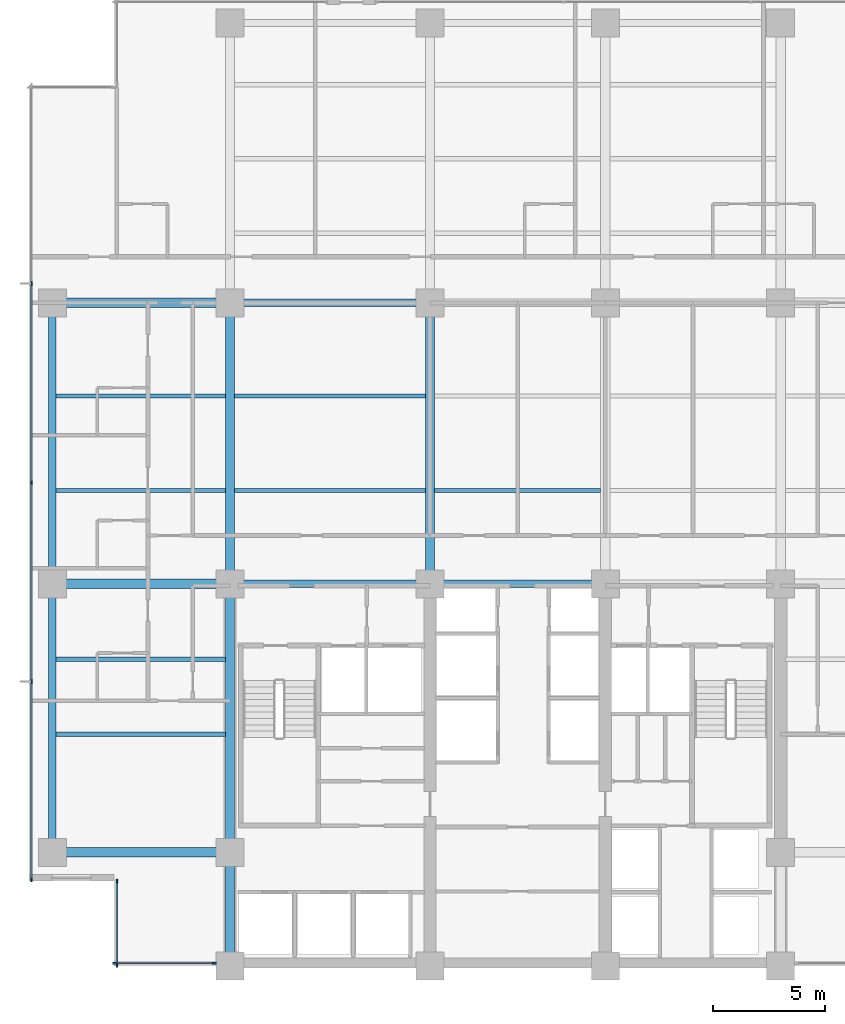
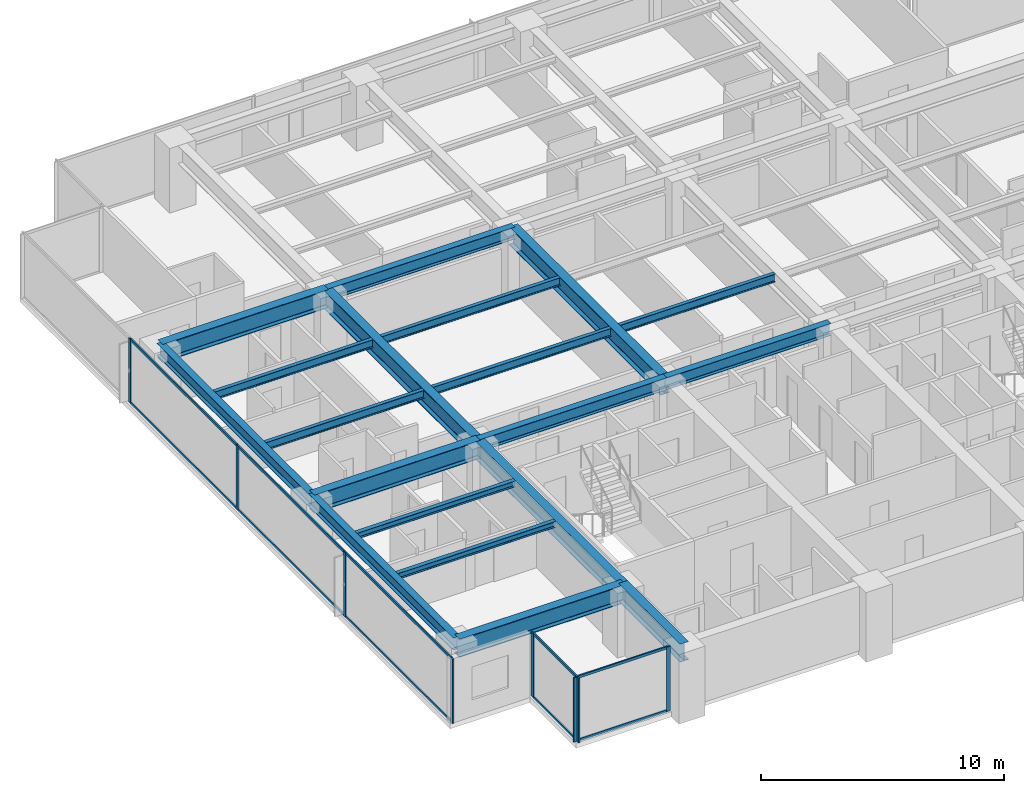
# One storey, part 2 of 17: 19 beams, 18 members, 3 elements without a shape of their own.
"""IFC4 building model written with IfcOpenShell, lengths in metres."""

from ifc_helpers import new_model, si_unit, direction, frame, origin, origin_2d, place, context, subcontext, project, spatial, rectangle, i_section, extrude, material, layer, layer_set, material_profile, profile_set, type_object, element, aggregate, save


model = new_model("IFC4")

# Units and contexts
model_context = context("Model", 3, precision=1e-05, world=origin(), true_north=direction((0.0, 1.0)))
body_context = subcontext(model_context, "Body", "Model", "MODEL_VIEW")
ifc_project = project(units=[si_unit("LENGTHUNIT", "METRE"), si_unit("AREAUNIT", "SQUARE_METRE"), si_unit("VOLUMEUNIT", "CUBIC_METRE"), si_unit("PLANEANGLEUNIT", "RADIAN"), si_unit("MASSUNIT", "GRAM", prefix="KILO")], contexts=[model_context])

# Site, building, storey
site_placement = place(None, origin())
site = spatial("IfcSite", under=ifc_project, at=site_placement, CompositionType="ELEMENT")
building_placement = place(site_placement, origin())
building = spatial("IfcBuilding", under=site, at=building_placement, Name="Qalmaran Belvedere Hotel", CompositionType="ELEMENT")
storey_placement = place(building_placement, frame((0.0, 0.0, 91.699951171875)))
storey = spatial("IfcBuildingStorey", under=building, at=storey_placement, Name="L22", CompositionType="ELEMENT", Elevation=91.699951171875)

# Beams
ifc_material_1 = material(Name="Steel S355JR", Category="steel")
ifc_material_profile_1 = material_profile(ifc_material_1, i_section(OverallWidth=0.202880859375, OverallDepth=0.302978515625, WebThickness=0.007568359375, FlangeThickness=0.01318359375, FilletRadius=0.012939453125, at=origin_2d()), Name="W310X60")
ifc_profile_set_1 = profile_set([ifc_material_profile_1], Name="Steel S355JR")
beam_type_1 = type_object("IfcBeamType", Name="BM-JST-W310X60", PredefinedType="JOIST", material=ifc_profile_set_1)
for number, where, z_axis, x_axis, name in (
    (1, (12.5615234375, 13.800048828125, 3.088623046875), (1.0, 0.0, 0.0), (0.0, 1.0, 0.0), "L22 West Wing Joist 038"),
    (2, (12.5615234375, 17.14990234375, 3.088623046875), (1.0, 0.0, 0.0), (0.0, 1.0, 0.0), "L22 West Wing Joist 040"),
):
    element("IfcBeam", number, at=place(storey_placement, frame(where, z_axis=z_axis, x_axis=x_axis)), inside=storey, type_object=beam_type_1, Name=name, PredefinedType="JOIST", context=body_context, shape_type="SweptSolid", body=[
        extrude(i_section(OverallWidth=0.202880859375, OverallDepth=0.302978515625, WebThickness=0.007568359375, FlangeThickness=0.01318359375, FilletRadius=0.012939453125, at=origin_2d()), origin(), (0.0, 0.0, 1.0), 7.531494140625),
    ])
ifc_material_profile_2 = material_profile(ifc_material_1, i_section(OverallWidth=0.41796875, OverallDepth=0.912109375, WebThickness=0.019287109375, FlangeThickness=0.031982421875, FilletRadius=0.02392578125, at=origin_2d()), Name="W920X342")
ifc_profile_set_2 = profile_set([ifc_material_profile_2], Name="Steel S355JR")
beam_type_2 = type_object("IfcBeamType", Name="BM-PG2-W920X342", PredefinedType="USERDEFINED", material=ifc_profile_set_2)
for number, where, z_axis, x_axis, name in (
    (3, (20.300048828125, 20.5, 2.783935546875), (0.0, 1.0, 0.0), (-1.0, 0.0, 0.0), "L22 Mid-Plate N-S Girder 14"),
    (4, (29.199951171875, 20.5, 2.783935546875), (0.0, 1.0, 0.0), (-1.0, 0.0, 0.0), "L22 Mid-Plate N-S Girder 16"),
):
    element("IfcBeam", number, at=place(storey_placement, frame(where, z_axis=z_axis, x_axis=x_axis)), inside=storey, type_object=beam_type_2, Name=name, ObjectType="GIRDER", PredefinedType="USERDEFINED", context=body_context, shape_type="SweptSolid", body=[
        extrude(i_section(OverallWidth=0.41796875, OverallDepth=0.912109375, WebThickness=0.019287109375, FlangeThickness=0.031982421875, FilletRadius=0.02392578125, at=origin_2d()), origin(), (0.0, 0.0, 1.0), 12.5),
    ])
for number, where, z_axis, x_axis, name in (
    (5, (12.39990234375, 8.550048828125, 2.783935546875), (1.0, 0.0, 0.0), (0.0, 1.0, 0.0), "L22 West Wing Girder 22"),
    (6, (12.39990234375, 20.5, 2.783935546875), (1.0, 0.0, 0.0), (0.0, 1.0, 0.0), "L22 West Wing Girder 23"),
    (7, (12.39990234375, 33.0, 2.783935546875), (1.0, 0.0, 0.0), (0.0, 1.0, 0.0), "L22 West Wing Girder 24"),
):
    element("IfcBeam", number, at=place(storey_placement, frame(where, z_axis=z_axis, x_axis=x_axis)), inside=storey, type_object=beam_type_2, Name=name, ObjectType="GIRDER", PredefinedType="USERDEFINED", context=body_context, shape_type="SweptSolid", body=[
        extrude(i_section(OverallWidth=0.41796875, OverallDepth=0.912109375, WebThickness=0.019287109375, FlangeThickness=0.031982421875, FilletRadius=0.02392578125, at=origin_2d()), origin(), (0.0, 0.0, 1.0), 7.900146484375),
    ])
beam_1_placement = place(storey_placement, frame((20.300048828125, 3.5, 2.783935546875), z_axis=(0.0, 1.0, 0.0), x_axis=(-1.0, 0.0, 0.0)))
element("IfcBeam", 8, at=beam_1_placement, inside=storey, type_object=beam_type_2, Name="L22 West Core Edge Girder A", ObjectType="GIRDER", PredefinedType="USERDEFINED", context=body_context, shape_type="SweptSolid", body=[
    extrude(i_section(OverallWidth=0.41796875, OverallDepth=0.912109375, WebThickness=0.019287109375, FlangeThickness=0.031982421875, FilletRadius=0.02392578125, at=origin_2d()), origin(), (0.0, 0.0, 1.0), 5.050048828125),
])
beam_2_placement = place(storey_placement, frame((20.300048828125, 8.550048828125, 2.783935546875), z_axis=(0.0, 1.0, 0.0), x_axis=(-1.0, 0.0, 0.0)))
element("IfcBeam", 9, at=beam_2_placement, inside=storey, type_object=beam_type_2, Name="L22 West Core Edge Girder B", ObjectType="GIRDER", PredefinedType="USERDEFINED", context=body_context, shape_type="SweptSolid", body=[
    extrude(i_section(OverallWidth=0.41796875, OverallDepth=0.912109375, WebThickness=0.019287109375, FlangeThickness=0.031982421875, FilletRadius=0.02392578125, at=origin_2d()), origin(), (0.0, 0.0, 1.0), 11.949951171875),
])
ifc_material_profile_3 = material_profile(ifc_material_1, i_section(OverallWidth=0.177978515625, OverallDepth=0.406982421875, WebThickness=0.0078125, FlangeThickness=0.0126953125, FilletRadius=0.014892578125, at=origin_2d()), Name="W410X60")
ifc_profile_set_3 = profile_set([ifc_material_profile_3], Name="Steel S355JR")
beam_type_3 = type_object("IfcBeamType", Name="BM-SB2-W410X60", PredefinedType="BEAM", material=ifc_profile_set_3)
beam_3_placement = place(storey_placement, frame((12.5615234375, 24.64990234375, 3.03662109375), z_axis=(1.0, 0.0, 0.0), x_axis=(0.0, 1.0, 0.0)))
element("IfcBeam", 10, at=beam_3_placement, inside=storey, type_object=beam_type_3, Name="L22 West Secondary Beam 028", PredefinedType="BEAM", context=body_context, shape_type="SweptSolid", body=[
    extrude(i_section(OverallWidth=0.177978515625, OverallDepth=0.406982421875, WebThickness=0.0078125, FlangeThickness=0.0126953125, FilletRadius=0.014892578125, at=origin_2d()), origin(), (0.0, 0.0, 1.0), 7.531494140625),
])
beam_4_placement = place(storey_placement, frame((20.507080078125, 24.64990234375, 3.03662109375), z_axis=(1.0, 0.0, 0.0), x_axis=(0.0, 1.0, 0.0)))
element("IfcBeam", 11, at=beam_4_placement, inside=storey, type_object=beam_type_3, Name="L22 Secondary Floor Beam 029", PredefinedType="BEAM", context=body_context, shape_type="SweptSolid", body=[
    extrude(i_section(OverallWidth=0.177978515625, OverallDepth=0.406982421875, WebThickness=0.0078125, FlangeThickness=0.0126953125, FilletRadius=0.014892578125, at=origin_2d()), origin(), (0.0, 0.0, 1.0), 8.48583984375),
])
beam_5_placement = place(storey_placement, frame((29.406982421875, 24.64990234375, 3.03662109375), z_axis=(1.0, 0.0, 0.0), x_axis=(0.0, 1.0, 0.0)))
element("IfcBeam", 12, at=beam_5_placement, inside=storey, type_object=beam_type_3, Name="L22 Secondary Floor Beam 030", PredefinedType="BEAM", context=body_context, shape_type="SweptSolid", body=[
    extrude(i_section(OverallWidth=0.177978515625, OverallDepth=0.406982421875, WebThickness=0.0078125, FlangeThickness=0.0126953125, FilletRadius=0.014892578125, at=origin_2d()), origin(), (0.0, 0.0, 1.0), 7.385986328125),
])
beam_6_placement = place(storey_placement, frame((12.5615234375, 28.85009765625, 3.03662109375), z_axis=(1.0, 0.0, 0.0), x_axis=(0.0, 1.0, 0.0)))
element("IfcBeam", 13, at=beam_6_placement, inside=storey, type_object=beam_type_3, Name="L22 West Secondary Beam 033", PredefinedType="BEAM", context=body_context, shape_type="SweptSolid", body=[
    extrude(i_section(OverallWidth=0.177978515625, OverallDepth=0.406982421875, WebThickness=0.0078125, FlangeThickness=0.0126953125, FilletRadius=0.014892578125, at=origin_2d()), origin(), (0.0, 0.0, 1.0), 7.531494140625),
])
beam_7_placement = place(storey_placement, frame((20.507080078125, 28.85009765625, 3.03662109375), z_axis=(1.0, 0.0, 0.0), x_axis=(0.0, 1.0, 0.0)))
element("IfcBeam", 14, at=beam_7_placement, inside=storey, type_object=beam_type_3, Name="L22 Secondary Floor Beam 034", PredefinedType="BEAM", context=body_context, shape_type="SweptSolid", body=[
    extrude(i_section(OverallWidth=0.177978515625, OverallDepth=0.406982421875, WebThickness=0.0078125, FlangeThickness=0.0126953125, FilletRadius=0.014892578125, at=origin_2d()), origin(), (0.0, 0.0, 1.0), 8.48583984375),
])
ifc_material_profile_4 = material_profile(ifc_material_1, i_section(OverallWidth=0.326904296875, OverallDepth=0.6220703125, WebThickness=0.015380859375, FlangeThickness=0.0244140625, FilletRadius=0.02001953125, at=origin_2d()), Name="W610X195")
ifc_profile_set_4 = profile_set([ifc_material_profile_4], Name="Steel S355JR")
beam_type_4 = type_object("IfcBeamType", Name="BM-SP1-W610X195", PredefinedType="SPANDREL", material=ifc_profile_set_4)
beam_8_placement = place(storey_placement, frame((12.39990234375, 8.550048828125, 2.928955078125), z_axis=(0.0, 1.0, 0.0), x_axis=(-1.0, 0.0, 0.0)))
element("IfcBeam", 15, at=beam_8_placement, inside=storey, type_object=beam_type_4, Name="L22 Perimeter Spandrel 01", PredefinedType="SPANDREL", context=body_context, shape_type="SweptSolid", body=[
    extrude(i_section(OverallWidth=0.326904296875, OverallDepth=0.6220703125, WebThickness=0.015380859375, FlangeThickness=0.0244140625, FilletRadius=0.02001953125, at=origin_2d()), origin(), (0.0, 0.0, 1.0), 11.949951171875),
])
beam_9_placement = place(storey_placement, frame((12.39990234375, 20.5, 2.928955078125), z_axis=(0.0, 1.0, 0.0), x_axis=(-1.0, 0.0, 0.0)))
element("IfcBeam", 16, at=beam_9_placement, inside=storey, type_object=beam_type_4, Name="L22 Perimeter Spandrel 02", PredefinedType="SPANDREL", context=body_context, shape_type="SweptSolid", body=[
    extrude(i_section(OverallWidth=0.326904296875, OverallDepth=0.6220703125, WebThickness=0.015380859375, FlangeThickness=0.0244140625, FilletRadius=0.02001953125, at=origin_2d()), origin(), (0.0, 0.0, 1.0), 12.5),
])
ifc_material_profile_5 = material_profile(ifc_material_1, i_section(OverallWidth=0.323974609375, OverallDepth=0.611083984375, WebThickness=0.0126953125, FlangeThickness=0.01904296875, FilletRadius=0.02001953125, at=origin_2d()), Name="W610X155")
ifc_profile_set_5 = profile_set([ifc_material_profile_5], Name="Steel S355JR")
beam_type_5 = type_object("IfcBeamType", Name="BM-Z2-W610X155", PredefinedType="USERDEFINED", material=ifc_profile_set_5)
beam_10_placement = place(storey_placement, frame((20.300048828125, 20.5, 2.9345703125), z_axis=(1.0, 0.0, 0.0), x_axis=(0.0, 1.0, 0.0)))
element("IfcBeam", 17, at=beam_10_placement, inside=storey, type_object=beam_type_5, Name="L22 Interior E-W Girder 08", ObjectType="GIRDER", PredefinedType="USERDEFINED", context=body_context, shape_type="SweptSolid", body=[
    extrude(i_section(OverallWidth=0.323974609375, OverallDepth=0.611083984375, WebThickness=0.0126953125, FlangeThickness=0.01904296875, FilletRadius=0.02001953125, at=origin_2d()), origin(), (0.0, 0.0, 1.0), 8.89990234375),
])
beam_11_placement = place(storey_placement, frame((29.199951171875, 20.5, 2.9345703125), z_axis=(1.0, 0.0, 0.0), x_axis=(0.0, 1.0, 0.0)))
element("IfcBeam", 18, at=beam_11_placement, inside=storey, type_object=beam_type_5, Name="L22 Interior E-W Girder 09", ObjectType="GIRDER", PredefinedType="USERDEFINED", context=body_context, shape_type="SweptSolid", body=[
    extrude(i_section(OverallWidth=0.323974609375, OverallDepth=0.611083984375, WebThickness=0.0126953125, FlangeThickness=0.01904296875, FilletRadius=0.02001953125, at=origin_2d()), origin(), (0.0, 0.0, 1.0), 7.800048828125),
])
beam_12_placement = place(storey_placement, frame((20.300048828125, 33.0, 2.9345703125), z_axis=(1.0, 0.0, 0.0), x_axis=(0.0, 1.0, 0.0)))
element("IfcBeam", 19, at=beam_12_placement, inside=storey, type_object=beam_type_5, Name="L22 Interior E-W Girder 11", ObjectType="GIRDER", PredefinedType="USERDEFINED", context=body_context, shape_type="SweptSolid", body=[
    extrude(i_section(OverallWidth=0.323974609375, OverallDepth=0.611083984375, WebThickness=0.0126953125, FlangeThickness=0.01904296875, FilletRadius=0.02001953125, at=origin_2d()), origin(), (0.0, 0.0, 1.0), 8.89990234375),
])

# Curtain wall, members
ifc_material_2 = material(Name="Anodised Bronze Aluminium", Category="aluminium")
ifc_layer = layer(ifc_material_2, 0.199951171875, Name="Anodised Bronze Aluminium")
ifc_layer_set = layer_set([ifc_layer], Name="Anodised Bronze Aluminium")
curtain_wall_type = type_object("IfcCurtainWallType", Name="CW3-TOWER-LOWMID", PredefinedType="NOTDEFINED", material=ifc_layer_set)
curtain_wall_1_placement = place(storey_placement, origin())
curtain_wall_1 = element("IfcCurtainWall", 20, at=curtain_wall_1_placement, inside=storey, type_object=curtain_wall_type, Name="L22 Curtain Wall CW3", PredefinedType="NOTDEFINED")
ifc_material_profile_6 = material_profile(ifc_material_2, rectangle(XDim=0.070068359375, YDim=0.18994140625, at=origin_2d()), Name="CWM70X190")
ifc_profile_set_6 = profile_set([ifc_material_profile_6], Name="Anodised Bronze Aluminium")
member_type_1 = type_object("IfcMemberType", Name="CWM-70X190", PredefinedType="MULLION", material=ifc_profile_set_6)
member_1_placement = place(storey_placement, frame((15.18505859375, 3.6201171875, 0.0), z_axis=(0.0, 0.0, 1.0), x_axis=(0.0, 1.0, 0.0)))
member_1 = element("IfcMember", 21, at=member_1_placement, type_object=member_type_1, Name="CW3 mullion 1", PredefinedType="MULLION", context=body_context, shape_type="SweptSolid", body=[
    extrude(rectangle(XDim=0.070068359375, YDim=0.18994140625, at=origin_2d()), origin(), (0.0, 0.0, 1.0), 3.239990234375),
])
member_2_placement = place(storey_placement, frame((19.60009765625, 3.6201171875, 0.0), z_axis=(0.0, 0.0, 1.0), x_axis=(0.0, 1.0, 0.0)))
member_2 = element("IfcMember", 22, at=member_2_placement, type_object=member_type_1, Name="CW3 mullion 2", PredefinedType="MULLION", context=body_context, shape_type="SweptSolid", body=[
    extrude(rectangle(XDim=0.070068359375, YDim=0.18994140625, at=origin_2d()), origin(), (0.0, 0.0, 1.0), 3.239990234375),
])

curtain_wall_2_placement = place(storey_placement, origin())
curtain_wall_2 = element("IfcCurtainWall", 23, at=curtain_wall_2_placement, inside=storey, type_object=curtain_wall_type, Name="L22 Curtain Wall CW3", PredefinedType="NOTDEFINED")
member_3_placement = place(storey_placement, frame((11.469970703125, 33.85009765625, 0.0), z_axis=(0.0, 0.0, 1.0), x_axis=(1.0, 0.0, 0.0)))
member_3 = element("IfcMember", 24, at=member_3_placement, type_object=member_type_1, Name="CW3 mullion 2", PredefinedType="MULLION", context=body_context, shape_type="SweptSolid", body=[
    extrude(rectangle(XDim=0.070068359375, YDim=0.18994140625, at=origin_2d()), origin(), (0.0, 0.0, 1.0), 3.239990234375),
])
member_4_placement = place(storey_placement, frame((11.469970703125, 25.0, 0.0), z_axis=(0.0, 0.0, 1.0), x_axis=(1.0, 0.0, 0.0)))
member_4 = element("IfcMember", 25, at=member_4_placement, type_object=member_type_1, Name="CW3 mullion 3", PredefinedType="MULLION", context=body_context, shape_type="SweptSolid", body=[
    extrude(rectangle(XDim=0.070068359375, YDim=0.18994140625, at=origin_2d()), origin(), (0.0, 0.0, 1.0), 3.239990234375),
])
member_5_placement = place(storey_placement, frame((11.469970703125, 16.14990234375, 0.0), z_axis=(0.0, 0.0, 1.0), x_axis=(1.0, 0.0, 0.0)))
member_5 = element("IfcMember", 26, at=member_5_placement, type_object=member_type_1, Name="CW3 mullion 4", PredefinedType="MULLION", context=body_context, shape_type="SweptSolid", body=[
    extrude(rectangle(XDim=0.070068359375, YDim=0.18994140625, at=origin_2d()), origin(), (0.0, 0.0, 1.0), 3.239990234375),
])
member_6_placement = place(storey_placement, frame((11.469970703125, 7.3349609375, 0.0), z_axis=(0.0, 0.0, 1.0), x_axis=(1.0, 0.0, 0.0)))
member_6 = element("IfcMember", 27, at=member_6_placement, type_object=member_type_1, Name="CW3 mullion 5", PredefinedType="MULLION", context=body_context, shape_type="SweptSolid", body=[
    extrude(rectangle(XDim=0.070068359375, YDim=0.18994140625, at=origin_2d()), origin(), (0.0, 0.0, 1.0), 3.239990234375),
])

curtain_wall_3_placement = place(storey_placement, origin())
curtain_wall_3 = element("IfcCurtainWall", 28, at=curtain_wall_3_placement, inside=storey, type_object=curtain_wall_type, Name="L22 Curtain Wall CW3", PredefinedType="NOTDEFINED")
member_7_placement = place(storey_placement, frame((15.27001953125, 7.264892578125, 0.0), z_axis=(0.0, 0.0, 1.0), x_axis=(1.0, 0.0, 0.0)))
member_7 = element("IfcMember", 29, at=member_7_placement, type_object=member_type_1, Name="CW3 mullion 1", PredefinedType="MULLION", context=body_context, shape_type="SweptSolid", body=[
    extrude(rectangle(XDim=0.070068359375, YDim=0.18994140625, at=origin_2d()), origin(), (0.0, 0.0, 1.0), 3.239990234375),
])
member_8_placement = place(storey_placement, frame((15.27001953125, 3.534912109375, 0.0), z_axis=(0.0, 0.0, 1.0), x_axis=(1.0, 0.0, 0.0)))
member_8 = element("IfcMember", 30, at=member_8_placement, type_object=member_type_1, Name="CW3 mullion 2", PredefinedType="MULLION", context=body_context, shape_type="SweptSolid", body=[
    extrude(rectangle(XDim=0.070068359375, YDim=0.18994140625, at=origin_2d()), origin(), (0.0, 0.0, 1.0), 3.239990234375),
])

# Member
ifc_material_profile_7 = material_profile(ifc_material_2, rectangle(XDim=0.06494140625, YDim=0.1298828125, at=origin_2d()), Name="CWT65X130")
ifc_profile_set_7 = profile_set([ifc_material_profile_7], Name="Anodised Bronze Aluminium")
member_type_2 = type_object("IfcMemberType", Name="CWT-65X130", PredefinedType="USERDEFINED", material=ifc_profile_set_7)
member_9_placement = place(storey_placement, frame((15.219970703125, 3.6201171875, 0.032470703125), z_axis=(1.0, 0.0, 0.0), x_axis=(0.0, 1.0, 0.0)))
member_9 = element("IfcMember", 31, at=member_9_placement, type_object=member_type_2, Name="CW3 transom 1.1", ObjectType="TRANSOM", PredefinedType="USERDEFINED", context=body_context, shape_type="SweptSolid", body=[
    extrude(rectangle(XDim=0.06494140625, YDim=0.1298828125, at=origin_2d()), origin(), (0.0, 0.0, 1.0), 4.344970703125),
])

member_10_placement = place(storey_placement, frame((15.219970703125, 3.6201171875, 3.20751953125), z_axis=(1.0, 0.0, 0.0), x_axis=(0.0, 1.0, 0.0)))
member_10 = element("IfcMember", 32, at=member_10_placement, type_object=member_type_2, Name="CW3 transom 1.2", ObjectType="TRANSOM", PredefinedType="USERDEFINED", context=body_context, shape_type="SweptSolid", body=[
    extrude(rectangle(XDim=0.06494140625, YDim=0.1298828125, at=origin_2d()), origin(), (0.0, 0.0, 1.0), 4.344970703125),
])

aggregate(curtain_wall_1, [member_1, member_2, member_9, member_10])

member_11_placement = place(storey_placement, frame((11.469970703125, 33.81494140625, 0.032470703125), z_axis=(0.0, -1.0, 0.0), x_axis=(1.0, 0.0, 0.0)))
member_11 = element("IfcMember", 33, at=member_11_placement, type_object=member_type_2, Name="CW3 transom 2.1", ObjectType="TRANSOM", PredefinedType="USERDEFINED", context=body_context, shape_type="SweptSolid", body=[
    extrude(rectangle(XDim=0.06494140625, YDim=0.1298828125, at=origin_2d()), origin(), (0.0, 0.0, 1.0), 8.780029296875),
])

member_12_placement = place(storey_placement, frame((11.469970703125, 33.81494140625, 3.20751953125), z_axis=(0.0, -1.0, 0.0), x_axis=(1.0, 0.0, 0.0)))
member_12 = element("IfcMember", 34, at=member_12_placement, type_object=member_type_2, Name="CW3 transom 2.2", ObjectType="TRANSOM", PredefinedType="USERDEFINED", context=body_context, shape_type="SweptSolid", body=[
    extrude(rectangle(XDim=0.06494140625, YDim=0.1298828125, at=origin_2d()), origin(), (0.0, 0.0, 1.0), 8.780029296875),
])

member_13_placement = place(storey_placement, frame((11.469970703125, 24.965087890625, 0.032470703125), z_axis=(0.0, -1.0, 0.0), x_axis=(1.0, 0.0, 0.0)))
member_13 = element("IfcMember", 35, at=member_13_placement, type_object=member_type_2, Name="CW3 transom 3.1", ObjectType="TRANSOM", PredefinedType="USERDEFINED", context=body_context, shape_type="SweptSolid", body=[
    extrude(rectangle(XDim=0.06494140625, YDim=0.1298828125, at=origin_2d()), origin(), (0.0, 0.0, 1.0), 8.780029296875),
])

member_14_placement = place(storey_placement, frame((11.469970703125, 24.965087890625, 3.20751953125), z_axis=(0.0, -1.0, 0.0), x_axis=(1.0, 0.0, 0.0)))
member_14 = element("IfcMember", 36, at=member_14_placement, type_object=member_type_2, Name="CW3 transom 3.2", ObjectType="TRANSOM", PredefinedType="USERDEFINED", context=body_context, shape_type="SweptSolid", body=[
    extrude(rectangle(XDim=0.06494140625, YDim=0.1298828125, at=origin_2d()), origin(), (0.0, 0.0, 1.0), 8.780029296875),
])

member_15_placement = place(storey_placement, frame((11.469970703125, 16.114990234375, 0.032470703125), z_axis=(0.0, -1.0, 0.0), x_axis=(1.0, 0.0, 0.0)))
member_15 = element("IfcMember", 37, at=member_15_placement, type_object=member_type_2, Name="CW3 transom 4.1", ObjectType="TRANSOM", PredefinedType="USERDEFINED", context=body_context, shape_type="SweptSolid", body=[
    extrude(rectangle(XDim=0.06494140625, YDim=0.1298828125, at=origin_2d()), origin(), (0.0, 0.0, 1.0), 8.744873046875),
])

member_16_placement = place(storey_placement, frame((11.469970703125, 16.114990234375, 3.20751953125), z_axis=(0.0, -1.0, 0.0), x_axis=(1.0, 0.0, 0.0)))
member_16 = element("IfcMember", 38, at=member_16_placement, type_object=member_type_2, Name="CW3 transom 4.2", ObjectType="TRANSOM", PredefinedType="USERDEFINED", context=body_context, shape_type="SweptSolid", body=[
    extrude(rectangle(XDim=0.06494140625, YDim=0.1298828125, at=origin_2d()), origin(), (0.0, 0.0, 1.0), 8.744873046875),
])

aggregate(curtain_wall_2, [member_3, member_4, member_5, member_6, member_11, member_12, member_13, member_14, member_15, member_16])

member_17_placement = place(storey_placement, frame((15.27001953125, 7.22998046875, 0.032470703125), z_axis=(0.0, -1.0, 0.0), x_axis=(1.0, 0.0, 0.0)))
member_17 = element("IfcMember", 39, at=member_17_placement, type_object=member_type_2, Name="CW3 transom 1.1", ObjectType="TRANSOM", PredefinedType="USERDEFINED", context=body_context, shape_type="SweptSolid", body=[
    extrude(rectangle(XDim=0.06494140625, YDim=0.1298828125, at=origin_2d()), origin(), (0.0, 0.0, 1.0), 3.659912109375),
])

member_18_placement = place(storey_placement, frame((15.27001953125, 7.22998046875, 3.20751953125), z_axis=(0.0, -1.0, 0.0), x_axis=(1.0, 0.0, 0.0)))
member_18 = element("IfcMember", 40, at=member_18_placement, type_object=member_type_2, Name="CW3 transom 1.2", ObjectType="TRANSOM", PredefinedType="USERDEFINED", context=body_context, shape_type="SweptSolid", body=[
    extrude(rectangle(XDim=0.06494140625, YDim=0.1298828125, at=origin_2d()), origin(), (0.0, 0.0, 1.0), 3.659912109375),
])

aggregate(curtain_wall_3, [member_7, member_8, member_17, member_18])

save(model, "model.ifc")
